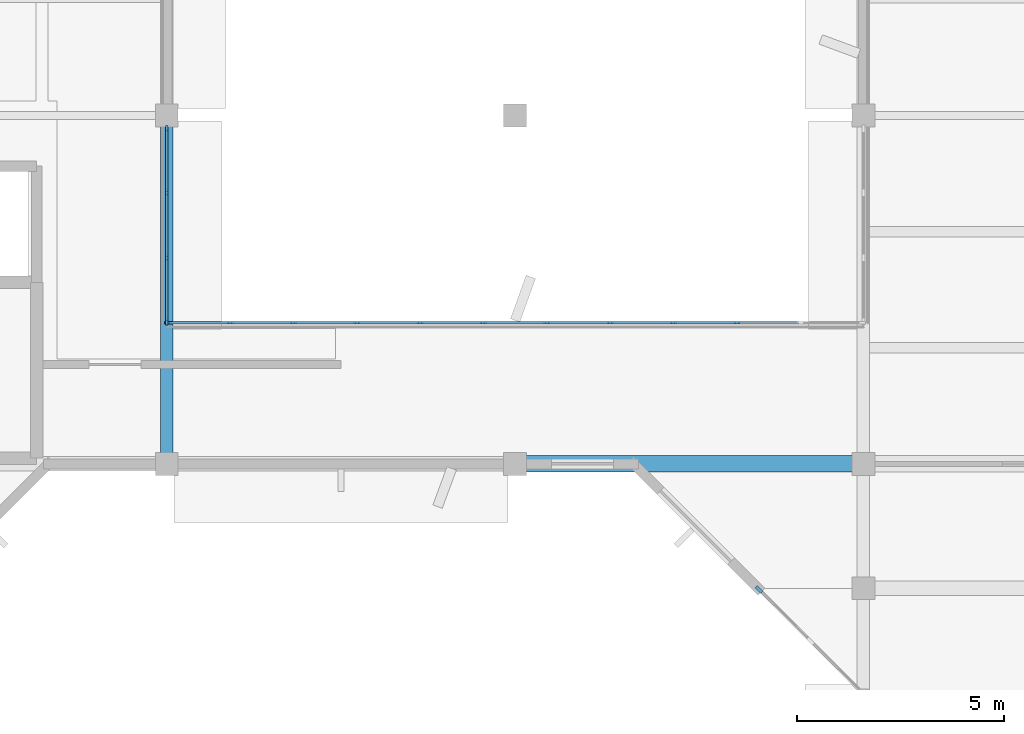
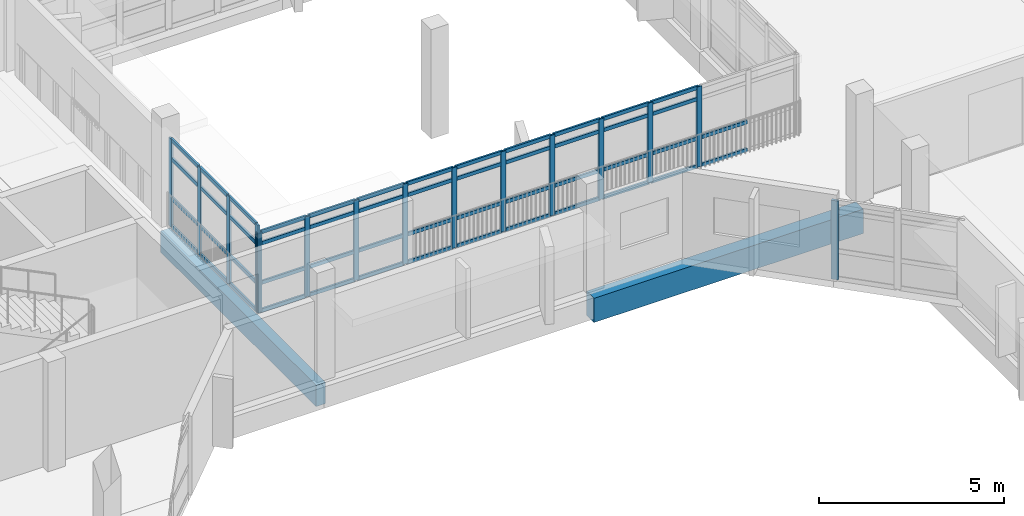
# One storey, part 29 of 92: 65 members, 2 beams, 3 elements without a shape of their own.
"""IFC4 building model written with IfcOpenShell, lengths in metres."""

import ifcopenshell
import ifcopenshell.guid

model = None  # the IFC model being written
_history = None  # IfcOwnerHistory: only IFC2X3 demands one
_inside = {}  # id of a spatial element -> (the spatial element, [elements in it])
_under = {}  # id of a project, library or spatial element -> (it, [spatial elements below it])
_declared = {}  # id of a project -> (the project, [libraries it declares])
_typed = {}  # id of a type object -> (the type object, [elements of that type])
_made_of = {}  # id of a material, layer set ... -> (it, [elements and type objects made of it])


def new_model(schema):
    """Start an empty IFC model of exactly this schema.

    Asked for "IFC4X3", IfcOpenShell would pick the latest addendum, in which some entities
    have other attributes; the version numbers below select the first issue.
    IFC2X3 requires an IfcOwnerHistory on every rooted entity: one is made here for all.
    """
    global model, _history
    if schema == "IFC4X3":
        model = ifcopenshell.file(schema_version=(4, 3, 0, 0))
    else:
        model = ifcopenshell.file(schema=schema)
    _inside.clear()
    _under.clear()
    _declared.clear()
    _typed.clear()
    _made_of.clear()
    _history = None
    if model.schema == "IFC2X3":
        org = make("IfcOrganization", Name="unknown")
        user = make(
            "IfcPersonAndOrganization",
            ThePerson=make("IfcPerson", FamilyName="unknown"),
            TheOrganization=org,
        )
        app = make(
            "IfcApplication",
            ApplicationDeveloper=org,
            Version="unknown",
            ApplicationFullName="unknown",
            ApplicationIdentifier="unknown",
        )
        _history = make(
            "IfcOwnerHistory",
            OwningUser=user,
            OwningApplication=app,
            ChangeAction="ADDED",
            CreationDate=0,
        )
    return model


def make(cls, **values):
    """One entity of the class cls with the attributes given. An attribute that is None is left unset."""
    return model.create_entity(
        cls, **{name: value for name, value in values.items() if value is not None}
    )


def rooted(cls, **values):
    """An entity with a GlobalId (a new one), such as an element, a storey or a relation."""
    return make(cls, GlobalId=ifcopenshell.guid.new(), OwnerHistory=_history, **values)


def si_unit(unit_type, name, prefix=None):
    """IfcSIUnit, for example si_unit("LENGTHUNIT", "METRE", prefix="MILLI")."""
    return make("IfcSIUnit", UnitType=unit_type, Prefix=prefix, Name=name)


def assignment(units):
    """IfcUnitAssignment: the units of a project."""
    return None if units is None else make("IfcUnitAssignment", Units=units)


def point(xyz):
    """IfcCartesianPoint."""
    return None if xyz is None else make("IfcCartesianPoint", Coordinates=xyz)


def direction(xyz):
    """IfcDirection."""
    return None if xyz is None else make("IfcDirection", DirectionRatios=xyz)


def frame(location, z_axis=None, x_axis=None):
    """IfcAxis2Placement3D, a coordinate frame: its origin and axes. An axis left out is left unset."""
    return make(
        "IfcAxis2Placement3D",
        Location=point(location),
        Axis=direction(z_axis),
        RefDirection=direction(x_axis),
    )


def frame_2d(location, x_axis=None):
    """IfcAxis2Placement2D, a coordinate frame in the plane: its origin and x axis."""
    return make(
        "IfcAxis2Placement2D", Location=point(location), RefDirection=direction(x_axis)
    )


def origin():
    """The frame at (0, 0, 0) with its axes left unset."""
    return frame((0.0, 0.0, 0.0))


def origin_2d():
    """The frame at (0, 0) in the plane with its x axis left unset."""
    return frame_2d((0.0, 0.0))


def place(relative_to, where):
    """IfcLocalPlacement: puts the frame where relative to a parent placement (None: the world)."""
    return make(
        "IfcLocalPlacement", PlacementRelTo=relative_to, RelativePlacement=where
    )


def context(
    kind, dimensions, precision=None, world=None, true_north=None, identifier=None
):
    """IfcGeometricRepresentationContext, for example the 3D "Model" context."""
    return make(
        "IfcGeometricRepresentationContext",
        ContextIdentifier=identifier,
        ContextType=kind,
        CoordinateSpaceDimension=dimensions,
        Precision=precision,
        WorldCoordinateSystem=world,
        TrueNorth=true_north,
    )


def subcontext(parent, identifier, kind, view, scale=None):
    """IfcGeometricRepresentationSubContext, for example "Body" below "Model"."""
    return make(
        "IfcGeometricRepresentationSubContext",
        ContextIdentifier=identifier,
        ContextType=kind,
        ParentContext=parent,
        TargetScale=scale,
        TargetView=view,
    )


def project(units=None, contexts=None):
    """IfcProject with its units and contexts."""
    return rooted(
        "IfcProject",
        Name="project",
        RepresentationContexts=contexts,
        UnitsInContext=assignment(units),
    )


def spatial(cls, under=None, at=None, **own):
    """A site, building, storey or space (cls), placed at a placement, below another one or the project."""
    s = rooted(cls, ObjectPlacement=at, **own)
    if under is not None:
        _under.setdefault(under.id(), (under, []))[1].append(s)
    return s


def profile(cls, at=None, kind="AREA", **sizes):
    """A parametric profile (cls). Its sizes go by their IFC names, for example OverallWidth=200.0."""
    return make(cls, ProfileType=kind, Position=at, **sizes)


def rectangle(**sizes):
    """IfcRectangleProfileDef."""
    return profile("IfcRectangleProfileDef", **sizes)


def extrude(swept, where, along, depth):
    """IfcExtrudedAreaSolid: the profile swept, set in the frame where, extruded along a direction by depth."""
    return make(
        "IfcExtrudedAreaSolid",
        SweptArea=swept,
        Position=where,
        ExtrudedDirection=direction(along),
        Depth=depth,
    )


def shape(context_of_items, identifier, shape_type, items):
    """IfcShapeRepresentation: the items that make up one representation, for example the "Body"."""
    return make(
        "IfcShapeRepresentation",
        ContextOfItems=context_of_items,
        RepresentationIdentifier=identifier,
        RepresentationType=shape_type,
        Items=items,
    )


def material(Name=None, Category=None):
    """IfcMaterial."""
    return make("IfcMaterial", Name=Name, Category=Category)


def material_profile(
    of_material, cross_section, Name=None, Category=None, Priority=None
):
    """IfcMaterialProfile: a cross section and its material."""
    return make(
        "IfcMaterialProfile",
        Name=Name,
        Material=of_material,
        Profile=cross_section,
        Priority=Priority,
        Category=Category,
    )


def profile_set(profiles, Name=None, composite=None):
    """IfcMaterialProfileSet."""
    return make(
        "IfcMaterialProfileSet",
        Name=Name,
        MaterialProfiles=profiles,
        CompositeProfile=composite,
    )


def made_of(thing, what):
    """Note that an element or type object is made of a material, layer set ...; save() writes the relation."""
    if what is not None:
        _made_of.setdefault(what.id(), (what, []))[1].append(thing)
    return thing


def type_object(cls, material=None, **own):
    """A type object (cls), such as IfcWallType, which elements share."""
    return made_of(rooted(cls, **own), material)


def element(
    cls,
    number,
    at=None,
    inside=None,
    cuts=None,
    type_object=None,
    material=None,
    context=None,
    identifier="Body",
    shape_type=None,
    held_by="IfcProductDefinitionShape",
    body=None,
    shapes=None,
    **own,
):
    """One element of the class cls, such as IfcWall. Its Tag is "e" and its number.

    at: its placement. inside: the storey or other place that contains it. cuts: it is an
    opening in that element (IfcRelVoidsElement). A single representation is given by context,
    identifier, shape_type and body (its items); several are given by shapes. held_by: the class
    of the entity that holds the representations. save() writes the other relations.
    """
    e = rooted(cls, Tag="e%d" % number, ObjectPlacement=at, **own)
    if body is not None:
        shapes = [shape(context, identifier, shape_type, body)]
    if shapes is not None:
        e.Representation = make(held_by, Representations=shapes)
    if inside is not None:
        _inside.setdefault(inside.id(), (inside, []))[1].append(e)
    if cuts is not None:
        rooted(
            "IfcRelVoidsElement", RelatingBuildingElement=cuts, RelatedOpeningElement=e
        )
    if type_object is not None:
        _typed.setdefault(type_object.id(), (type_object, []))[1].append(e)
    return made_of(e, material)


def aggregate(whole, parts):
    """IfcRelAggregates: a whole, such as a stair, and the parts it consists of."""
    return rooted("IfcRelAggregates", RelatingObject=whole, RelatedObjects=parts)


def save(model, path):
    """Write the relations noted so far, then the file.

    IfcRelAggregates (storeys below a building ...), IfcRelContainedInSpatialStructure (elements
    in a storey), IfcRelDefinesByType, IfcRelAssociatesMaterial and IfcRelDeclares: one each for
    every whole, place, type object, material and project.
    """
    for whole, parts in _under.values():
        aggregate(whole, parts)
    for where, things in _inside.values():
        rooted(
            "IfcRelContainedInSpatialStructure",
            RelatedElements=things,
            RelatingStructure=where,
        )
    for kind, things in _typed.values():
        rooted("IfcRelDefinesByType", RelatedObjects=things, RelatingType=kind)
    for what, things in _made_of.values():
        rooted("IfcRelAssociatesMaterial", RelatedObjects=things, RelatingMaterial=what)
    for by, libraries in _declared.values():
        rooted("IfcRelDeclares", RelatingContext=by, RelatedDefinitions=libraries)
    model.write(path)


model = new_model("IFC4")

# Units and contexts
model_context = context("Model", 3, precision=1e-05, world=origin(), true_north=direction((0.0, 1.0)))
body_context = subcontext(model_context, "Body", "Model", "MODEL_VIEW")
ifc_project = project(units=[si_unit("LENGTHUNIT", "METRE"), si_unit("AREAUNIT", "SQUARE_METRE"), si_unit("VOLUMEUNIT", "CUBIC_METRE"), si_unit("PLANEANGLEUNIT", "RADIAN"), si_unit("MASSUNIT", "GRAM", prefix="KILO")], contexts=[model_context])

# Site, building, storey
site_placement = place(None, origin())
site = spatial("IfcSite", under=ifc_project, at=site_placement, CompositionType="ELEMENT")
building_placement = place(site_placement, origin())
building = spatial("IfcBuilding", under=site, at=building_placement, Name="Vanh Quang Courtyard School", CompositionType="ELEMENT")
storey_placement = place(building_placement, frame((0.0, 0.0, 7.800048828125)))
storey = spatial("IfcBuildingStorey", under=building, at=storey_placement, Name="L02", CompositionType="ELEMENT", Elevation=7.800048828125)

# Beams
ifc_material_1 = material(Name="Concrete C35/45", Category="concrete")
ifc_material_profile_1 = material_profile(ifc_material_1, rectangle(XDim=0.39990234375, YDim=0.800048828125, at=origin_2d()), Name="RC-BM 400x800")
ifc_profile_set_1 = profile_set([ifc_material_profile_1], Name="Concrete C35/45")
beam_type_1 = type_object("IfcBeamType", Name="BM-RC-400x800", PredefinedType="BEAM", material=ifc_profile_set_1)
beam_1_placement = place(storey_placement, frame((57.60009765625, 71.39990234375, -0.699951171875), z_axis=(1.0, 0.0, 0.0), x_axis=(0.0, 1.0, 0.0)))
element("IfcBeam", 1, at=beam_1_placement, inside=storey, type_object=beam_type_1, Name="Beam B-02 (L02)", PredefinedType="BEAM", context=body_context, shape_type="SweptSolid", body=[
    extrude(rectangle(XDim=0.39990234375, YDim=0.800048828125, at=origin_2d()), origin(), (0.0, 0.0, 1.0), 8.39990234375),
])
ifc_material_profile_2 = material_profile(ifc_material_1, rectangle(XDim=0.300048828125, YDim=0.699951171875, at=origin_2d()), Name="RC-SP 300x700")
ifc_profile_set_2 = profile_set([ifc_material_profile_2], Name="Concrete C35/45")
beam_type_2 = type_object("IfcBeamType", Name="BM-SP-300x700", PredefinedType="SPANDREL", material=ifc_profile_set_2)
beam_2_placement = place(storey_placement, frame((49.199951171875, 71.39990234375, -0.650146484375), z_axis=(0.0, 1.0, 0.0), x_axis=(-1.0, 0.0, 0.0)))
element("IfcBeam", 2, at=beam_2_placement, inside=storey, type_object=beam_type_2, Name="Beam BS-01 (L02)", PredefinedType="SPANDREL", context=body_context, shape_type="SweptSolid", body=[
    extrude(rectangle(XDim=0.300048828125, YDim=0.699951171875, at=origin_2d()), origin(), (0.0, 0.0, 1.0), 8.400146484375),
])

# Curtain wall, members
ifc_material_2 = material(Name="Thermally broken aluminium unitised curtain wall", Category="aluminium")
curtain_wall_type_1 = type_object("IfcCurtainWallType", Name="CW-SYS-54", PredefinedType="NOTDEFINED", material=ifc_material_2)
curtain_wall_1_placement = place(storey_placement, origin())
curtain_wall_1 = element("IfcCurtainWall", 3, at=curtain_wall_1_placement, inside=storey, type_object=curtain_wall_type_1, Name="Curtain Wall CW-54 (L02)", PredefinedType="NOTDEFINED")
ifc_material_3 = material(Name="Anodised aluminium 6063-T6", Category="aluminium")
ifc_material_profile_3 = material_profile(ifc_material_3, rectangle(XDim=0.06005859375, YDim=0.159912109375, at=origin_2d()), Name="ALU-MUL 60x160")
ifc_profile_set_3 = profile_set([ifc_material_profile_3], Name="Anodised aluminium 6063-T6")
member_type_1 = type_object("IfcMemberType", Name="CW-MUL-60x160", PredefinedType="MULLION", material=ifc_profile_set_3)
member_1_placement = place(storey_placement, frame((49.22998046875, 74.800048828125, 0.0), z_axis=(0.0, 0.0, 1.0), x_axis=(0.0, 1.0, 0.0)))
member_1 = element("IfcMember", 4, at=member_1_placement, type_object=member_type_1, Name="CW-54 mullion 1", PredefinedType="MULLION", context=body_context, shape_type="SweptSolid", body=[
    extrude(rectangle(XDim=0.06005859375, YDim=0.159912109375, at=origin_2d()), origin(), (0.0, 0.0, 1.0), 2.64990234375),
])
member_2_placement = place(storey_placement, frame((50.727294921875, 74.800048828125, 0.0), z_axis=(0.0, 0.0, 1.0), x_axis=(0.0, 1.0, 0.0)))
member_2 = element("IfcMember", 5, at=member_2_placement, type_object=member_type_1, Name="CW-54 mullion 2", PredefinedType="MULLION", context=body_context, shape_type="SweptSolid", body=[
    extrude(rectangle(XDim=0.06005859375, YDim=0.159912109375, at=origin_2d()), origin(), (0.0, 0.0, 1.0), 2.64990234375),
])
member_3_placement = place(storey_placement, frame((52.254638671875, 74.800048828125, 0.0), z_axis=(0.0, 0.0, 1.0), x_axis=(0.0, 1.0, 0.0)))
member_3 = element("IfcMember", 6, at=member_3_placement, type_object=member_type_1, Name="CW-54 mullion 3", PredefinedType="MULLION", context=body_context, shape_type="SweptSolid", body=[
    extrude(rectangle(XDim=0.06005859375, YDim=0.159912109375, at=origin_2d()), origin(), (0.0, 0.0, 1.0), 2.64990234375),
])
member_4_placement = place(storey_placement, frame((53.78173828125, 74.800048828125, 0.0), z_axis=(0.0, 0.0, 1.0), x_axis=(0.0, 1.0, 0.0)))
member_4 = element("IfcMember", 7, at=member_4_placement, type_object=member_type_1, Name="CW-54 mullion 4", PredefinedType="MULLION", context=body_context, shape_type="SweptSolid", body=[
    extrude(rectangle(XDim=0.06005859375, YDim=0.159912109375, at=origin_2d()), origin(), (0.0, 0.0, 1.0), 2.64990234375),
])
member_5_placement = place(storey_placement, frame((55.30908203125, 74.800048828125, 0.0), z_axis=(0.0, 0.0, 1.0), x_axis=(0.0, 1.0, 0.0)))
member_5 = element("IfcMember", 8, at=member_5_placement, type_object=member_type_1, Name="CW-54 mullion 5", PredefinedType="MULLION", context=body_context, shape_type="SweptSolid", body=[
    extrude(rectangle(XDim=0.06005859375, YDim=0.159912109375, at=origin_2d()), origin(), (0.0, 0.0, 1.0), 2.64990234375),
])
member_6_placement = place(storey_placement, frame((56.83642578125, 74.800048828125, 0.0), z_axis=(0.0, 0.0, 1.0), x_axis=(0.0, 1.0, 0.0)))
member_6 = element("IfcMember", 9, at=member_6_placement, type_object=member_type_1, Name="CW-54 mullion 6", PredefinedType="MULLION", context=body_context, shape_type="SweptSolid", body=[
    extrude(rectangle(XDim=0.06005859375, YDim=0.159912109375, at=origin_2d()), origin(), (0.0, 0.0, 1.0), 2.64990234375),
])
member_7_placement = place(storey_placement, frame((58.363525390625, 74.800048828125, 0.0), z_axis=(0.0, 0.0, 1.0), x_axis=(0.0, 1.0, 0.0)))
member_7 = element("IfcMember", 10, at=member_7_placement, type_object=member_type_1, Name="CW-54 mullion 7", PredefinedType="MULLION", context=body_context, shape_type="SweptSolid", body=[
    extrude(rectangle(XDim=0.06005859375, YDim=0.159912109375, at=origin_2d()), origin(), (0.0, 0.0, 1.0), 2.64990234375),
])
member_8_placement = place(storey_placement, frame((59.890869140625, 74.800048828125, 0.0), z_axis=(0.0, 0.0, 1.0), x_axis=(0.0, 1.0, 0.0)))
member_8 = element("IfcMember", 11, at=member_8_placement, type_object=member_type_1, Name="CW-54 mullion 8", PredefinedType="MULLION", context=body_context, shape_type="SweptSolid", body=[
    extrude(rectangle(XDim=0.06005859375, YDim=0.159912109375, at=origin_2d()), origin(), (0.0, 0.0, 1.0), 2.64990234375),
])
member_9_placement = place(storey_placement, frame((61.418212890625, 74.800048828125, 0.0), z_axis=(0.0, 0.0, 1.0), x_axis=(0.0, 1.0, 0.0)))
member_9 = element("IfcMember", 12, at=member_9_placement, type_object=member_type_1, Name="CW-54 mullion 9", PredefinedType="MULLION", context=body_context, shape_type="SweptSolid", body=[
    extrude(rectangle(XDim=0.06005859375, YDim=0.159912109375, at=origin_2d()), origin(), (0.0, 0.0, 1.0), 2.64990234375),
])
member_10_placement = place(storey_placement, frame((62.945556640625, 74.800048828125, 0.0), z_axis=(0.0, 0.0, 1.0), x_axis=(0.0, 1.0, 0.0)))
member_10 = element("IfcMember", 13, at=member_10_placement, type_object=member_type_1, Name="CW-54 mullion 10", PredefinedType="MULLION", context=body_context, shape_type="SweptSolid", body=[
    extrude(rectangle(XDim=0.06005859375, YDim=0.159912109375, at=origin_2d()), origin(), (0.0, 0.0, 1.0), 2.64990234375),
])

curtain_wall_type_2 = type_object("IfcCurtainWallType", Name="CW-SYS-56", PredefinedType="NOTDEFINED", material=ifc_material_2)
curtain_wall_2_placement = place(storey_placement, origin())
curtain_wall_2 = element("IfcCurtainWall", 14, at=curtain_wall_2_placement, inside=storey, type_object=curtain_wall_type_2, Name="Curtain Wall CW-56 (L02)", PredefinedType="NOTDEFINED")
member_11_placement = place(storey_placement, frame((49.199951171875, 79.487060546875, 0.0), z_axis=(0.0, 0.0, 1.0), x_axis=(1.0, 0.0, 0.0)))
member_11 = element("IfcMember", 15, at=member_11_placement, type_object=member_type_1, Name="CW-56 mullion 1", PredefinedType="MULLION", context=body_context, shape_type="SweptSolid", body=[
    extrude(rectangle(XDim=0.06005859375, YDim=0.159912109375, at=origin_2d()), origin(), (0.0, 0.0, 1.0), 2.89990234375),
])
member_12_placement = place(storey_placement, frame((49.199951171875, 77.944580078125, 0.0), z_axis=(0.0, 0.0, 1.0), x_axis=(1.0, 0.0, 0.0)))
member_12 = element("IfcMember", 16, at=member_12_placement, type_object=member_type_1, Name="CW-56 mullion 2", PredefinedType="MULLION", context=body_context, shape_type="SweptSolid", body=[
    extrude(rectangle(XDim=0.06005859375, YDim=0.159912109375, at=origin_2d()), origin(), (0.0, 0.0, 1.0), 2.89990234375),
])
member_13_placement = place(storey_placement, frame((49.199951171875, 76.372314453125, 0.0), z_axis=(0.0, 0.0, 1.0), x_axis=(1.0, 0.0, 0.0)))
member_13 = element("IfcMember", 17, at=member_13_placement, type_object=member_type_1, Name="CW-56 mullion 3", PredefinedType="MULLION", context=body_context, shape_type="SweptSolid", body=[
    extrude(rectangle(XDim=0.06005859375, YDim=0.159912109375, at=origin_2d()), origin(), (0.0, 0.0, 1.0), 2.89990234375),
])
member_14_placement = place(storey_placement, frame((49.199951171875, 74.830078125, 0.0), z_axis=(0.0, 0.0, 1.0), x_axis=(1.0, 0.0, 0.0)))
member_14 = element("IfcMember", 18, at=member_14_placement, type_object=member_type_1, Name="CW-56 mullion 4", PredefinedType="MULLION", context=body_context, shape_type="SweptSolid", body=[
    extrude(rectangle(XDim=0.06005859375, YDim=0.159912109375, at=origin_2d()), origin(), (0.0, 0.0, 1.0), 2.89990234375),
])

# Curtain wall, member
curtain_wall_type_3 = type_object("IfcCurtainWallType", Name="CW-SYS-41", PredefinedType="NOTDEFINED", material=ifc_material_2)
curtain_wall_3_placement = place(storey_placement, origin())
curtain_wall_3 = element("IfcCurtainWall", 19, at=curtain_wall_3_placement, inside=storey, type_object=curtain_wall_type_3, Name="Curtain Wall CW-41 (L02)", PredefinedType="NOTDEFINED")
ifc_material_profile_4 = material_profile(ifc_material_3, rectangle(XDim=0.080078125, YDim=0.199951171875, at=origin_2d()), Name="ALU-MUL 80x200")
ifc_profile_set_4 = profile_set([ifc_material_profile_4], Name="Anodised aluminium 6063-T6")
member_type_2 = type_object("IfcMemberType", Name="CW-MUL-80x200", PredefinedType="MULLION", material=ifc_profile_set_4)
member_15_placement = place(storey_placement, frame((63.484375, 68.371826171875, 0.0), z_axis=(0.0, 0.0, 1.0), x_axis=(-0.707106781187, -0.707106781187, 0.0)))
member_15 = element("IfcMember", 20, at=member_15_placement, type_object=member_type_2, Name="CW-41 mullion 3", PredefinedType="MULLION", context=body_context, shape_type="SweptSolid", body=[
    extrude(rectangle(XDim=0.080078125, YDim=0.199951171875, at=origin_2d()), origin(), (0.0, 0.0, 1.0), 2.599853515625),
])
aggregate(curtain_wall_3, [member_15])

# Member
ifc_material_profile_5 = material_profile(ifc_material_3, rectangle(XDim=0.06005859375, YDim=0.1201171875, at=origin_2d()), Name="ALU-TRN 60x120")
ifc_profile_set_5 = profile_set([ifc_material_profile_5], Name="Anodised aluminium 6063-T6")
member_type_3 = type_object("IfcMemberType", Name="CW-TRN-60x120", PredefinedType="USERDEFINED", material=ifc_profile_set_5)
member_16_placement = place(storey_placement, frame((49.260009765625, 74.800048828125, 0.030029296875), z_axis=(1.0, 0.0, 0.0), x_axis=(0.0, 1.0, 0.0)))
member_16 = element("IfcMember", 21, at=member_16_placement, type_object=member_type_3, Name="CW-54 transom 1.1", ObjectType="TRANSOM", PredefinedType="USERDEFINED", context=body_context, shape_type="SweptSolid", body=[
    extrude(rectangle(XDim=0.06005859375, YDim=0.1201171875, at=origin_2d()), origin(), (0.0, 0.0, 1.0), 1.437255859375),
])

member_17_placement = place(storey_placement, frame((49.260009765625, 74.800048828125, 0.949951171875), z_axis=(1.0, 0.0, 0.0), x_axis=(0.0, 1.0, 0.0)))
member_17 = element("IfcMember", 22, at=member_17_placement, type_object=member_type_3, Name="CW-54 transom 1.2", ObjectType="TRANSOM", PredefinedType="USERDEFINED", context=body_context, shape_type="SweptSolid", body=[
    extrude(rectangle(XDim=0.06005859375, YDim=0.1201171875, at=origin_2d()), origin(), (0.0, 0.0, 1.0), 1.437255859375),
])

member_18_placement = place(storey_placement, frame((49.260009765625, 74.800048828125, 2.25), z_axis=(1.0, 0.0, 0.0), x_axis=(0.0, 1.0, 0.0)))
member_18 = element("IfcMember", 23, at=member_18_placement, type_object=member_type_3, Name="CW-54 transom 1.3", ObjectType="TRANSOM", PredefinedType="USERDEFINED", context=body_context, shape_type="SweptSolid", body=[
    extrude(rectangle(XDim=0.06005859375, YDim=0.1201171875, at=origin_2d()), origin(), (0.0, 0.0, 1.0), 1.437255859375),
])

member_19_placement = place(storey_placement, frame((49.260009765625, 74.800048828125, 2.619873046875), z_axis=(1.0, 0.0, 0.0), x_axis=(0.0, 1.0, 0.0)))
member_19 = element("IfcMember", 24, at=member_19_placement, type_object=member_type_3, Name="CW-54 transom 1.4", ObjectType="TRANSOM", PredefinedType="USERDEFINED", context=body_context, shape_type="SweptSolid", body=[
    extrude(rectangle(XDim=0.06005859375, YDim=0.1201171875, at=origin_2d()), origin(), (0.0, 0.0, 1.0), 1.437255859375),
])

member_20_placement = place(storey_placement, frame((50.75732421875, 74.800048828125, 0.030029296875), z_axis=(1.0, 0.0, 0.0), x_axis=(0.0, 1.0, 0.0)))
member_20 = element("IfcMember", 25, at=member_20_placement, type_object=member_type_3, Name="CW-54 transom 2.1", ObjectType="TRANSOM", PredefinedType="USERDEFINED", context=body_context, shape_type="SweptSolid", body=[
    extrude(rectangle(XDim=0.06005859375, YDim=0.1201171875, at=origin_2d()), origin(), (0.0, 0.0, 1.0), 1.46728515625),
])

member_21_placement = place(storey_placement, frame((50.75732421875, 74.800048828125, 0.949951171875), z_axis=(1.0, 0.0, 0.0), x_axis=(0.0, 1.0, 0.0)))
member_21 = element("IfcMember", 26, at=member_21_placement, type_object=member_type_3, Name="CW-54 transom 2.2", ObjectType="TRANSOM", PredefinedType="USERDEFINED", context=body_context, shape_type="SweptSolid", body=[
    extrude(rectangle(XDim=0.06005859375, YDim=0.1201171875, at=origin_2d()), origin(), (0.0, 0.0, 1.0), 1.46728515625),
])

member_22_placement = place(storey_placement, frame((50.75732421875, 74.800048828125, 2.25), z_axis=(1.0, 0.0, 0.0), x_axis=(0.0, 1.0, 0.0)))
member_22 = element("IfcMember", 27, at=member_22_placement, type_object=member_type_3, Name="CW-54 transom 2.3", ObjectType="TRANSOM", PredefinedType="USERDEFINED", context=body_context, shape_type="SweptSolid", body=[
    extrude(rectangle(XDim=0.06005859375, YDim=0.1201171875, at=origin_2d()), origin(), (0.0, 0.0, 1.0), 1.46728515625),
])

member_23_placement = place(storey_placement, frame((50.75732421875, 74.800048828125, 2.619873046875), z_axis=(1.0, 0.0, 0.0), x_axis=(0.0, 1.0, 0.0)))
member_23 = element("IfcMember", 28, at=member_23_placement, type_object=member_type_3, Name="CW-54 transom 2.4", ObjectType="TRANSOM", PredefinedType="USERDEFINED", context=body_context, shape_type="SweptSolid", body=[
    extrude(rectangle(XDim=0.06005859375, YDim=0.1201171875, at=origin_2d()), origin(), (0.0, 0.0, 1.0), 1.46728515625),
])

member_24_placement = place(storey_placement, frame((52.284423828125, 74.800048828125, 0.030029296875), z_axis=(1.0, 0.0, 0.0), x_axis=(0.0, 1.0, 0.0)))
member_24 = element("IfcMember", 29, at=member_24_placement, type_object=member_type_3, Name="CW-54 transom 3.1", ObjectType="TRANSOM", PredefinedType="USERDEFINED", context=body_context, shape_type="SweptSolid", body=[
    extrude(rectangle(XDim=0.06005859375, YDim=0.1201171875, at=origin_2d()), origin(), (0.0, 0.0, 1.0), 1.46728515625),
])

member_25_placement = place(storey_placement, frame((52.284423828125, 74.800048828125, 0.949951171875), z_axis=(1.0, 0.0, 0.0), x_axis=(0.0, 1.0, 0.0)))
member_25 = element("IfcMember", 30, at=member_25_placement, type_object=member_type_3, Name="CW-54 transom 3.2", ObjectType="TRANSOM", PredefinedType="USERDEFINED", context=body_context, shape_type="SweptSolid", body=[
    extrude(rectangle(XDim=0.06005859375, YDim=0.1201171875, at=origin_2d()), origin(), (0.0, 0.0, 1.0), 1.46728515625),
])

member_26_placement = place(storey_placement, frame((52.284423828125, 74.800048828125, 2.25), z_axis=(1.0, 0.0, 0.0), x_axis=(0.0, 1.0, 0.0)))
member_26 = element("IfcMember", 31, at=member_26_placement, type_object=member_type_3, Name="CW-54 transom 3.3", ObjectType="TRANSOM", PredefinedType="USERDEFINED", context=body_context, shape_type="SweptSolid", body=[
    extrude(rectangle(XDim=0.06005859375, YDim=0.1201171875, at=origin_2d()), origin(), (0.0, 0.0, 1.0), 1.46728515625),
])

member_27_placement = place(storey_placement, frame((52.284423828125, 74.800048828125, 2.619873046875), z_axis=(1.0, 0.0, 0.0), x_axis=(0.0, 1.0, 0.0)))
member_27 = element("IfcMember", 32, at=member_27_placement, type_object=member_type_3, Name="CW-54 transom 3.4", ObjectType="TRANSOM", PredefinedType="USERDEFINED", context=body_context, shape_type="SweptSolid", body=[
    extrude(rectangle(XDim=0.06005859375, YDim=0.1201171875, at=origin_2d()), origin(), (0.0, 0.0, 1.0), 1.46728515625),
])

member_28_placement = place(storey_placement, frame((53.811767578125, 74.800048828125, 0.030029296875), z_axis=(1.0, 0.0, 0.0), x_axis=(0.0, 1.0, 0.0)))
member_28 = element("IfcMember", 33, at=member_28_placement, type_object=member_type_3, Name="CW-54 transom 4.1", ObjectType="TRANSOM", PredefinedType="USERDEFINED", context=body_context, shape_type="SweptSolid", body=[
    extrude(rectangle(XDim=0.06005859375, YDim=0.1201171875, at=origin_2d()), origin(), (0.0, 0.0, 1.0), 1.46728515625),
])

member_29_placement = place(storey_placement, frame((53.811767578125, 74.800048828125, 0.949951171875), z_axis=(1.0, 0.0, 0.0), x_axis=(0.0, 1.0, 0.0)))
member_29 = element("IfcMember", 34, at=member_29_placement, type_object=member_type_3, Name="CW-54 transom 4.2", ObjectType="TRANSOM", PredefinedType="USERDEFINED", context=body_context, shape_type="SweptSolid", body=[
    extrude(rectangle(XDim=0.06005859375, YDim=0.1201171875, at=origin_2d()), origin(), (0.0, 0.0, 1.0), 1.46728515625),
])

member_30_placement = place(storey_placement, frame((53.811767578125, 74.800048828125, 2.25), z_axis=(1.0, 0.0, 0.0), x_axis=(0.0, 1.0, 0.0)))
member_30 = element("IfcMember", 35, at=member_30_placement, type_object=member_type_3, Name="CW-54 transom 4.3", ObjectType="TRANSOM", PredefinedType="USERDEFINED", context=body_context, shape_type="SweptSolid", body=[
    extrude(rectangle(XDim=0.06005859375, YDim=0.1201171875, at=origin_2d()), origin(), (0.0, 0.0, 1.0), 1.46728515625),
])

member_31_placement = place(storey_placement, frame((53.811767578125, 74.800048828125, 2.619873046875), z_axis=(1.0, 0.0, 0.0), x_axis=(0.0, 1.0, 0.0)))
member_31 = element("IfcMember", 36, at=member_31_placement, type_object=member_type_3, Name="CW-54 transom 4.4", ObjectType="TRANSOM", PredefinedType="USERDEFINED", context=body_context, shape_type="SweptSolid", body=[
    extrude(rectangle(XDim=0.06005859375, YDim=0.1201171875, at=origin_2d()), origin(), (0.0, 0.0, 1.0), 1.46728515625),
])

member_32_placement = place(storey_placement, frame((55.339111328125, 74.800048828125, 0.030029296875), z_axis=(1.0, 0.0, 0.0), x_axis=(0.0, 1.0, 0.0)))
member_32 = element("IfcMember", 37, at=member_32_placement, type_object=member_type_3, Name="CW-54 transom 5.1", ObjectType="TRANSOM", PredefinedType="USERDEFINED", context=body_context, shape_type="SweptSolid", body=[
    extrude(rectangle(XDim=0.06005859375, YDim=0.1201171875, at=origin_2d()), origin(), (0.0, 0.0, 1.0), 1.46728515625),
])

member_33_placement = place(storey_placement, frame((55.339111328125, 74.800048828125, 0.949951171875), z_axis=(1.0, 0.0, 0.0), x_axis=(0.0, 1.0, 0.0)))
member_33 = element("IfcMember", 38, at=member_33_placement, type_object=member_type_3, Name="CW-54 transom 5.2", ObjectType="TRANSOM", PredefinedType="USERDEFINED", context=body_context, shape_type="SweptSolid", body=[
    extrude(rectangle(XDim=0.06005859375, YDim=0.1201171875, at=origin_2d()), origin(), (0.0, 0.0, 1.0), 1.46728515625),
])

member_34_placement = place(storey_placement, frame((55.339111328125, 74.800048828125, 2.25), z_axis=(1.0, 0.0, 0.0), x_axis=(0.0, 1.0, 0.0)))
member_34 = element("IfcMember", 39, at=member_34_placement, type_object=member_type_3, Name="CW-54 transom 5.3", ObjectType="TRANSOM", PredefinedType="USERDEFINED", context=body_context, shape_type="SweptSolid", body=[
    extrude(rectangle(XDim=0.06005859375, YDim=0.1201171875, at=origin_2d()), origin(), (0.0, 0.0, 1.0), 1.46728515625),
])

member_35_placement = place(storey_placement, frame((55.339111328125, 74.800048828125, 2.619873046875), z_axis=(1.0, 0.0, 0.0), x_axis=(0.0, 1.0, 0.0)))
member_35 = element("IfcMember", 40, at=member_35_placement, type_object=member_type_3, Name="CW-54 transom 5.4", ObjectType="TRANSOM", PredefinedType="USERDEFINED", context=body_context, shape_type="SweptSolid", body=[
    extrude(rectangle(XDim=0.06005859375, YDim=0.1201171875, at=origin_2d()), origin(), (0.0, 0.0, 1.0), 1.46728515625),
])

member_36_placement = place(storey_placement, frame((56.866455078125, 74.800048828125, 0.030029296875), z_axis=(1.0, 0.0, 0.0), x_axis=(0.0, 1.0, 0.0)))
member_36 = element("IfcMember", 41, at=member_36_placement, type_object=member_type_3, Name="CW-54 transom 6.1", ObjectType="TRANSOM", PredefinedType="USERDEFINED", context=body_context, shape_type="SweptSolid", body=[
    extrude(rectangle(XDim=0.06005859375, YDim=0.1201171875, at=origin_2d()), origin(), (0.0, 0.0, 1.0), 1.46728515625),
])

member_37_placement = place(storey_placement, frame((56.866455078125, 74.800048828125, 0.949951171875), z_axis=(1.0, 0.0, 0.0), x_axis=(0.0, 1.0, 0.0)))
member_37 = element("IfcMember", 42, at=member_37_placement, type_object=member_type_3, Name="CW-54 transom 6.2", ObjectType="TRANSOM", PredefinedType="USERDEFINED", context=body_context, shape_type="SweptSolid", body=[
    extrude(rectangle(XDim=0.06005859375, YDim=0.1201171875, at=origin_2d()), origin(), (0.0, 0.0, 1.0), 1.46728515625),
])

member_38_placement = place(storey_placement, frame((56.866455078125, 74.800048828125, 2.25), z_axis=(1.0, 0.0, 0.0), x_axis=(0.0, 1.0, 0.0)))
member_38 = element("IfcMember", 43, at=member_38_placement, type_object=member_type_3, Name="CW-54 transom 6.3", ObjectType="TRANSOM", PredefinedType="USERDEFINED", context=body_context, shape_type="SweptSolid", body=[
    extrude(rectangle(XDim=0.06005859375, YDim=0.1201171875, at=origin_2d()), origin(), (0.0, 0.0, 1.0), 1.46728515625),
])

member_39_placement = place(storey_placement, frame((56.866455078125, 74.800048828125, 2.619873046875), z_axis=(1.0, 0.0, 0.0), x_axis=(0.0, 1.0, 0.0)))
member_39 = element("IfcMember", 44, at=member_39_placement, type_object=member_type_3, Name="CW-54 transom 6.4", ObjectType="TRANSOM", PredefinedType="USERDEFINED", context=body_context, shape_type="SweptSolid", body=[
    extrude(rectangle(XDim=0.06005859375, YDim=0.1201171875, at=origin_2d()), origin(), (0.0, 0.0, 1.0), 1.46728515625),
])

member_40_placement = place(storey_placement, frame((58.3935546875, 74.800048828125, 0.030029296875), z_axis=(1.0, 0.0, 0.0), x_axis=(0.0, 1.0, 0.0)))
member_40 = element("IfcMember", 45, at=member_40_placement, type_object=member_type_3, Name="CW-54 transom 7.1", ObjectType="TRANSOM", PredefinedType="USERDEFINED", context=body_context, shape_type="SweptSolid", body=[
    extrude(rectangle(XDim=0.06005859375, YDim=0.1201171875, at=origin_2d()), origin(), (0.0, 0.0, 1.0), 1.46728515625),
])

member_41_placement = place(storey_placement, frame((58.3935546875, 74.800048828125, 0.949951171875), z_axis=(1.0, 0.0, 0.0), x_axis=(0.0, 1.0, 0.0)))
member_41 = element("IfcMember", 46, at=member_41_placement, type_object=member_type_3, Name="CW-54 transom 7.2", ObjectType="TRANSOM", PredefinedType="USERDEFINED", context=body_context, shape_type="SweptSolid", body=[
    extrude(rectangle(XDim=0.06005859375, YDim=0.1201171875, at=origin_2d()), origin(), (0.0, 0.0, 1.0), 1.46728515625),
])

member_42_placement = place(storey_placement, frame((58.3935546875, 74.800048828125, 2.25), z_axis=(1.0, 0.0, 0.0), x_axis=(0.0, 1.0, 0.0)))
member_42 = element("IfcMember", 47, at=member_42_placement, type_object=member_type_3, Name="CW-54 transom 7.3", ObjectType="TRANSOM", PredefinedType="USERDEFINED", context=body_context, shape_type="SweptSolid", body=[
    extrude(rectangle(XDim=0.06005859375, YDim=0.1201171875, at=origin_2d()), origin(), (0.0, 0.0, 1.0), 1.46728515625),
])

member_43_placement = place(storey_placement, frame((58.3935546875, 74.800048828125, 2.619873046875), z_axis=(1.0, 0.0, 0.0), x_axis=(0.0, 1.0, 0.0)))
member_43 = element("IfcMember", 48, at=member_43_placement, type_object=member_type_3, Name="CW-54 transom 7.4", ObjectType="TRANSOM", PredefinedType="USERDEFINED", context=body_context, shape_type="SweptSolid", body=[
    extrude(rectangle(XDim=0.06005859375, YDim=0.1201171875, at=origin_2d()), origin(), (0.0, 0.0, 1.0), 1.46728515625),
])

member_44_placement = place(storey_placement, frame((59.9208984375, 74.800048828125, 0.030029296875), z_axis=(1.0, 0.0, 0.0), x_axis=(0.0, 1.0, 0.0)))
member_44 = element("IfcMember", 49, at=member_44_placement, type_object=member_type_3, Name="CW-54 transom 8.1", ObjectType="TRANSOM", PredefinedType="USERDEFINED", context=body_context, shape_type="SweptSolid", body=[
    extrude(rectangle(XDim=0.06005859375, YDim=0.1201171875, at=origin_2d()), origin(), (0.0, 0.0, 1.0), 1.46728515625),
])

member_45_placement = place(storey_placement, frame((59.9208984375, 74.800048828125, 0.949951171875), z_axis=(1.0, 0.0, 0.0), x_axis=(0.0, 1.0, 0.0)))
member_45 = element("IfcMember", 50, at=member_45_placement, type_object=member_type_3, Name="CW-54 transom 8.2", ObjectType="TRANSOM", PredefinedType="USERDEFINED", context=body_context, shape_type="SweptSolid", body=[
    extrude(rectangle(XDim=0.06005859375, YDim=0.1201171875, at=origin_2d()), origin(), (0.0, 0.0, 1.0), 1.46728515625),
])

member_46_placement = place(storey_placement, frame((59.9208984375, 74.800048828125, 2.25), z_axis=(1.0, 0.0, 0.0), x_axis=(0.0, 1.0, 0.0)))
member_46 = element("IfcMember", 51, at=member_46_placement, type_object=member_type_3, Name="CW-54 transom 8.3", ObjectType="TRANSOM", PredefinedType="USERDEFINED", context=body_context, shape_type="SweptSolid", body=[
    extrude(rectangle(XDim=0.06005859375, YDim=0.1201171875, at=origin_2d()), origin(), (0.0, 0.0, 1.0), 1.46728515625),
])

member_47_placement = place(storey_placement, frame((59.9208984375, 74.800048828125, 2.619873046875), z_axis=(1.0, 0.0, 0.0), x_axis=(0.0, 1.0, 0.0)))
member_47 = element("IfcMember", 52, at=member_47_placement, type_object=member_type_3, Name="CW-54 transom 8.4", ObjectType="TRANSOM", PredefinedType="USERDEFINED", context=body_context, shape_type="SweptSolid", body=[
    extrude(rectangle(XDim=0.06005859375, YDim=0.1201171875, at=origin_2d()), origin(), (0.0, 0.0, 1.0), 1.46728515625),
])

member_48_placement = place(storey_placement, frame((61.4482421875, 74.800048828125, 0.030029296875), z_axis=(1.0, 0.0, 0.0), x_axis=(0.0, 1.0, 0.0)))
member_48 = element("IfcMember", 53, at=member_48_placement, type_object=member_type_3, Name="CW-54 transom 9.1", ObjectType="TRANSOM", PredefinedType="USERDEFINED", context=body_context, shape_type="SweptSolid", body=[
    extrude(rectangle(XDim=0.06005859375, YDim=0.1201171875, at=origin_2d()), origin(), (0.0, 0.0, 1.0), 1.46728515625),
])

member_49_placement = place(storey_placement, frame((61.4482421875, 74.800048828125, 0.949951171875), z_axis=(1.0, 0.0, 0.0), x_axis=(0.0, 1.0, 0.0)))
member_49 = element("IfcMember", 54, at=member_49_placement, type_object=member_type_3, Name="CW-54 transom 9.2", ObjectType="TRANSOM", PredefinedType="USERDEFINED", context=body_context, shape_type="SweptSolid", body=[
    extrude(rectangle(XDim=0.06005859375, YDim=0.1201171875, at=origin_2d()), origin(), (0.0, 0.0, 1.0), 1.46728515625),
])

member_50_placement = place(storey_placement, frame((61.4482421875, 74.800048828125, 2.25), z_axis=(1.0, 0.0, 0.0), x_axis=(0.0, 1.0, 0.0)))
member_50 = element("IfcMember", 55, at=member_50_placement, type_object=member_type_3, Name="CW-54 transom 9.3", ObjectType="TRANSOM", PredefinedType="USERDEFINED", context=body_context, shape_type="SweptSolid", body=[
    extrude(rectangle(XDim=0.06005859375, YDim=0.1201171875, at=origin_2d()), origin(), (0.0, 0.0, 1.0), 1.46728515625),
])

member_51_placement = place(storey_placement, frame((61.4482421875, 74.800048828125, 2.619873046875), z_axis=(1.0, 0.0, 0.0), x_axis=(0.0, 1.0, 0.0)))
member_51 = element("IfcMember", 56, at=member_51_placement, type_object=member_type_3, Name="CW-54 transom 9.4", ObjectType="TRANSOM", PredefinedType="USERDEFINED", context=body_context, shape_type="SweptSolid", body=[
    extrude(rectangle(XDim=0.06005859375, YDim=0.1201171875, at=origin_2d()), origin(), (0.0, 0.0, 1.0), 1.46728515625),
])

member_52_placement = place(storey_placement, frame((62.975341796875, 74.800048828125, 0.030029296875), z_axis=(1.0, 0.0, 0.0), x_axis=(0.0, 1.0, 0.0)))
member_52 = element("IfcMember", 57, at=member_52_placement, type_object=member_type_3, Name="CW-54 transom 10.1", ObjectType="TRANSOM", PredefinedType="USERDEFINED", context=body_context, shape_type="SweptSolid", body=[
    extrude(rectangle(XDim=0.06005859375, YDim=0.1201171875, at=origin_2d()), origin(), (0.0, 0.0, 1.0), 1.46728515625),
])

member_53_placement = place(storey_placement, frame((62.975341796875, 74.800048828125, 0.949951171875), z_axis=(1.0, 0.0, 0.0), x_axis=(0.0, 1.0, 0.0)))
member_53 = element("IfcMember", 58, at=member_53_placement, type_object=member_type_3, Name="CW-54 transom 10.2", ObjectType="TRANSOM", PredefinedType="USERDEFINED", context=body_context, shape_type="SweptSolid", body=[
    extrude(rectangle(XDim=0.06005859375, YDim=0.1201171875, at=origin_2d()), origin(), (0.0, 0.0, 1.0), 1.46728515625),
])

aggregate(curtain_wall_1, [member_1, member_2, member_3, member_4, member_5, member_6, member_7, member_8, member_9, member_10, member_16, member_17, member_18, member_19, member_20, member_21, member_22, member_23, member_24, member_25, member_26, member_27, member_28, member_29, member_30, member_31, member_32, member_33, member_34, member_35, member_36, member_37, member_38, member_39, member_40, member_41, member_42, member_43, member_44, member_45, member_46, member_47, member_48, member_49, member_50, member_51, member_52, member_53])

member_54_placement = place(storey_placement, frame((49.199951171875, 79.45703125, 0.030029296875), z_axis=(0.0, -1.0, 0.0), x_axis=(1.0, 0.0, 0.0)))
member_54 = element("IfcMember", 59, at=member_54_placement, type_object=member_type_3, Name="CW-56 transom 1.1", ObjectType="TRANSOM", PredefinedType="USERDEFINED", context=body_context, shape_type="SweptSolid", body=[
    extrude(rectangle(XDim=0.06005859375, YDim=0.1201171875, at=origin_2d()), origin(), (0.0, 0.0, 1.0), 1.482421875),
])

member_55_placement = place(storey_placement, frame((49.199951171875, 79.45703125, 0.949951171875), z_axis=(0.0, -1.0, 0.0), x_axis=(1.0, 0.0, 0.0)))
member_55 = element("IfcMember", 60, at=member_55_placement, type_object=member_type_3, Name="CW-56 transom 1.2", ObjectType="TRANSOM", PredefinedType="USERDEFINED", context=body_context, shape_type="SweptSolid", body=[
    extrude(rectangle(XDim=0.06005859375, YDim=0.1201171875, at=origin_2d()), origin(), (0.0, 0.0, 1.0), 1.482421875),
])

member_56_placement = place(storey_placement, frame((49.199951171875, 79.45703125, 2.25), z_axis=(0.0, -1.0, 0.0), x_axis=(1.0, 0.0, 0.0)))
member_56 = element("IfcMember", 61, at=member_56_placement, type_object=member_type_3, Name="CW-56 transom 1.3", ObjectType="TRANSOM", PredefinedType="USERDEFINED", context=body_context, shape_type="SweptSolid", body=[
    extrude(rectangle(XDim=0.06005859375, YDim=0.1201171875, at=origin_2d()), origin(), (0.0, 0.0, 1.0), 1.482421875),
])

member_57_placement = place(storey_placement, frame((49.199951171875, 79.45703125, 2.869873046875), z_axis=(0.0, -1.0, 0.0), x_axis=(1.0, 0.0, 0.0)))
member_57 = element("IfcMember", 62, at=member_57_placement, type_object=member_type_3, Name="CW-56 transom 1.4", ObjectType="TRANSOM", PredefinedType="USERDEFINED", context=body_context, shape_type="SweptSolid", body=[
    extrude(rectangle(XDim=0.06005859375, YDim=0.1201171875, at=origin_2d()), origin(), (0.0, 0.0, 1.0), 1.482421875),
])

member_58_placement = place(storey_placement, frame((49.199951171875, 77.91455078125, 0.030029296875), z_axis=(0.0, -1.0, 0.0), x_axis=(1.0, 0.0, 0.0)))
member_58 = element("IfcMember", 63, at=member_58_placement, type_object=member_type_3, Name="CW-56 transom 2.1", ObjectType="TRANSOM", PredefinedType="USERDEFINED", context=body_context, shape_type="SweptSolid", body=[
    extrude(rectangle(XDim=0.06005859375, YDim=0.1201171875, at=origin_2d()), origin(), (0.0, 0.0, 1.0), 1.51220703125),
])

member_59_placement = place(storey_placement, frame((49.199951171875, 77.91455078125, 0.949951171875), z_axis=(0.0, -1.0, 0.0), x_axis=(1.0, 0.0, 0.0)))
member_59 = element("IfcMember", 64, at=member_59_placement, type_object=member_type_3, Name="CW-56 transom 2.2", ObjectType="TRANSOM", PredefinedType="USERDEFINED", context=body_context, shape_type="SweptSolid", body=[
    extrude(rectangle(XDim=0.06005859375, YDim=0.1201171875, at=origin_2d()), origin(), (0.0, 0.0, 1.0), 1.51220703125),
])

member_60_placement = place(storey_placement, frame((49.199951171875, 77.91455078125, 2.25), z_axis=(0.0, -1.0, 0.0), x_axis=(1.0, 0.0, 0.0)))
member_60 = element("IfcMember", 65, at=member_60_placement, type_object=member_type_3, Name="CW-56 transom 2.3", ObjectType="TRANSOM", PredefinedType="USERDEFINED", context=body_context, shape_type="SweptSolid", body=[
    extrude(rectangle(XDim=0.06005859375, YDim=0.1201171875, at=origin_2d()), origin(), (0.0, 0.0, 1.0), 1.51220703125),
])

member_61_placement = place(storey_placement, frame((49.199951171875, 77.91455078125, 2.869873046875), z_axis=(0.0, -1.0, 0.0), x_axis=(1.0, 0.0, 0.0)))
member_61 = element("IfcMember", 66, at=member_61_placement, type_object=member_type_3, Name="CW-56 transom 2.4", ObjectType="TRANSOM", PredefinedType="USERDEFINED", context=body_context, shape_type="SweptSolid", body=[
    extrude(rectangle(XDim=0.06005859375, YDim=0.1201171875, at=origin_2d()), origin(), (0.0, 0.0, 1.0), 1.51220703125),
])

member_62_placement = place(storey_placement, frame((49.199951171875, 76.34228515625, 0.030029296875), z_axis=(0.0, -1.0, 0.0), x_axis=(1.0, 0.0, 0.0)))
member_62 = element("IfcMember", 67, at=member_62_placement, type_object=member_type_3, Name="CW-56 transom 3.1", ObjectType="TRANSOM", PredefinedType="USERDEFINED", context=body_context, shape_type="SweptSolid", body=[
    extrude(rectangle(XDim=0.06005859375, YDim=0.1201171875, at=origin_2d()), origin(), (0.0, 0.0, 1.0), 1.482177734375),
])

member_63_placement = place(storey_placement, frame((49.199951171875, 76.34228515625, 0.949951171875), z_axis=(0.0, -1.0, 0.0), x_axis=(1.0, 0.0, 0.0)))
member_63 = element("IfcMember", 68, at=member_63_placement, type_object=member_type_3, Name="CW-56 transom 3.2", ObjectType="TRANSOM", PredefinedType="USERDEFINED", context=body_context, shape_type="SweptSolid", body=[
    extrude(rectangle(XDim=0.06005859375, YDim=0.1201171875, at=origin_2d()), origin(), (0.0, 0.0, 1.0), 1.482177734375),
])

member_64_placement = place(storey_placement, frame((49.199951171875, 76.34228515625, 2.25), z_axis=(0.0, -1.0, 0.0), x_axis=(1.0, 0.0, 0.0)))
member_64 = element("IfcMember", 69, at=member_64_placement, type_object=member_type_3, Name="CW-56 transom 3.3", ObjectType="TRANSOM", PredefinedType="USERDEFINED", context=body_context, shape_type="SweptSolid", body=[
    extrude(rectangle(XDim=0.06005859375, YDim=0.1201171875, at=origin_2d()), origin(), (0.0, 0.0, 1.0), 1.482177734375),
])

member_65_placement = place(storey_placement, frame((49.199951171875, 76.34228515625, 2.869873046875), z_axis=(0.0, -1.0, 0.0), x_axis=(1.0, 0.0, 0.0)))
member_65 = element("IfcMember", 70, at=member_65_placement, type_object=member_type_3, Name="CW-56 transom 3.4", ObjectType="TRANSOM", PredefinedType="USERDEFINED", context=body_context, shape_type="SweptSolid", body=[
    extrude(rectangle(XDim=0.06005859375, YDim=0.1201171875, at=origin_2d()), origin(), (0.0, 0.0, 1.0), 1.482177734375),
])

aggregate(curtain_wall_2, [member_11, member_12, member_13, member_14, member_54, member_55, member_56, member_57, member_58, member_59, member_60, member_61, member_62, member_63, member_64, member_65])

save(model, "model.ifc")
